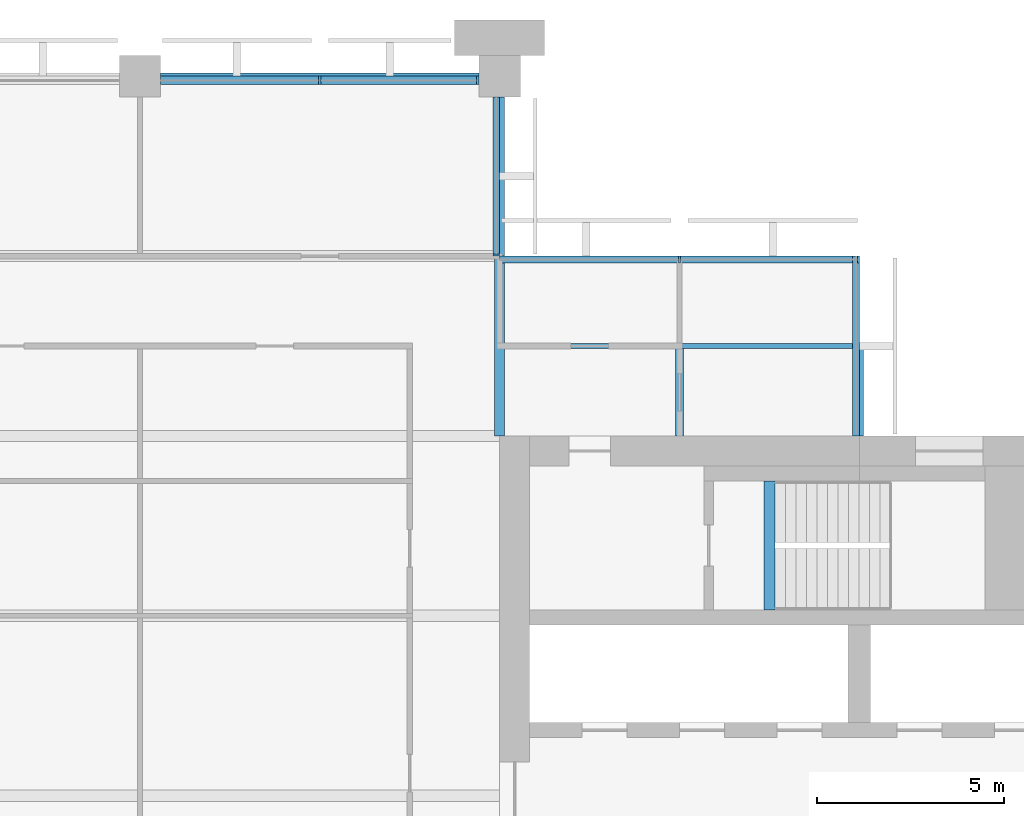
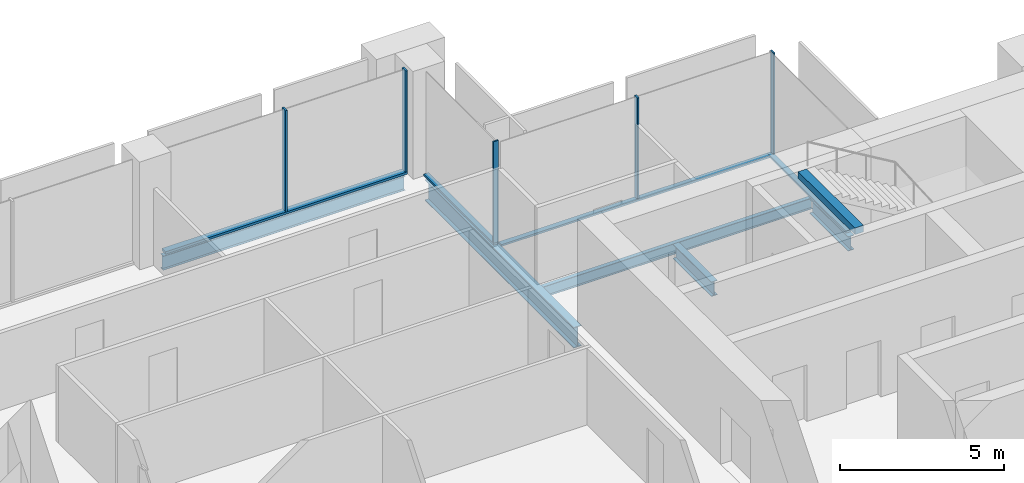
# One storey, part 6 of 13: 9 members, 6 beams, 4 elements without a shape of their own.
"""IFC4 building model written with IfcOpenShell, lengths in metres."""

from ifc_helpers import new_model, si_unit, direction, frame, origin, origin_2d, place, context, subcontext, project, spatial, rectangle, i_section, extrude, material, material_profile, profile_set, type_object, element, aggregate, save


model = new_model("IFC4")

# Units and contexts
model_context = context("Model", 3, precision=1e-05, world=origin(), true_north=direction((0.0, 1.0)))
body_context = subcontext(model_context, "Body", "Model", "MODEL_VIEW")
ifc_project = project(units=[si_unit("LENGTHUNIT", "METRE"), si_unit("AREAUNIT", "SQUARE_METRE"), si_unit("VOLUMEUNIT", "CUBIC_METRE"), si_unit("PLANEANGLEUNIT", "RADIAN"), si_unit("MASSUNIT", "GRAM", prefix="KILO")], contexts=[model_context])

# Site, building, storey
site_placement = place(None, origin())
site = spatial("IfcSite", under=ifc_project, at=site_placement, CompositionType="ELEMENT")
building_placement = place(site_placement, origin())
building = spatial("IfcBuilding", under=site, at=building_placement, Name="Baori Bourse Tower", CompositionType="ELEMENT")
storey_placement = place(building_placement, frame((0.0, 0.0, 229.199951171875)))
storey = spatial("IfcBuildingStorey", under=building, at=storey_placement, Name="L50", CompositionType="ELEMENT", Elevation=229.199951171875)

# Curtain wall, members
ifc_material_1 = material(Name="Pale anodised aluminium", Category="aluminium")
curtain_wall_type_1 = type_object("IfcCurtainWallType", Name="CW2 Curtain wall", PredefinedType="NOTDEFINED", material=ifc_material_1)
curtain_wall_1_placement = place(storey_placement, origin())
curtain_wall_1 = element("IfcCurtainWall", 1, at=curtain_wall_1_placement, inside=storey, type_object=curtain_wall_type_1, Name="Curtain wall CW2 L50 2", PredefinedType="NOTDEFINED")
ifc_material_2 = material(Name="Pale anodised aluminium", Category="aluminium")
ifc_material_profile_1 = material_profile(ifc_material_2, rectangle(XDim=0.179931640625, YDim=0.054931640625, at=origin_2d()), Name="Mullion 55x180")
ifc_profile_set_1 = profile_set([ifc_material_profile_1], Name="Pale anodised aluminium")
member_type_1 = type_object("IfcMemberType", Name="CW2 Curtain wall mullion", PredefinedType="MULLION", material=ifc_profile_set_1)
member_1_placement = place(storey_placement, frame((47.972412109375, 43.110107421875, 0.070068359375), z_axis=(0.0, 0.0, 1.0), x_axis=(0.0, -1.0, 0.0)))
member_1 = element("IfcMember", 2, at=member_1_placement, type_object=member_type_1, Name="Curtain wall CW2 mullion", PredefinedType="MULLION", context=body_context, shape_type="SweptSolid", body=[
    extrude(rectangle(XDim=0.179931640625, YDim=0.054931640625, at=origin_2d()), origin(), (0.0, 0.0, 1.0), 3.77001953125),
])
member_2_placement = place(storey_placement, frame((43.199951171875, 43.110107421875, 0.070068359375), z_axis=(0.0, 0.0, 1.0), x_axis=(0.0, -1.0, 0.0)))
member_2 = element("IfcMember", 3, at=member_2_placement, type_object=member_type_1, Name="Curtain wall CW2 mullion", PredefinedType="MULLION", context=body_context, shape_type="SweptSolid", body=[
    extrude(rectangle(XDim=0.179931640625, YDim=0.054931640625, at=origin_2d()), origin(), (0.0, 0.0, 1.0), 3.77001953125),
])

# Curtain wall, member
curtain_wall_2_placement = place(storey_placement, origin())
curtain_wall_2 = element("IfcCurtainWall", 4, at=curtain_wall_2_placement, inside=storey, type_object=curtain_wall_type_1, Name="Curtain wall CW2 L50 3", PredefinedType="NOTDEFINED")
member_3_placement = place(storey_placement, frame((38.31005859375, 43.2275390625, 0.070068359375), z_axis=(0.0, 0.0, 1.0), x_axis=(-1.0, 0.0, 0.0)))
member_3 = element("IfcMember", 5, at=member_3_placement, type_object=member_type_1, Name="Curtain wall CW2 mullion", PredefinedType="MULLION", context=body_context, shape_type="SweptSolid", body=[
    extrude(rectangle(XDim=0.179931640625, YDim=0.054931640625, at=origin_2d()), origin(), (0.0, 0.0, 1.0), 3.77001953125),
])

curtain_wall_3_placement = place(storey_placement, origin())
curtain_wall_3 = element("IfcCurtainWall", 6, at=curtain_wall_3_placement, inside=storey, type_object=curtain_wall_type_1, Name="Curtain wall CW2 L50 1", PredefinedType="NOTDEFINED")
ifc_material_3 = material(Name="Pale anodised aluminium", Category="aluminium")
ifc_material_profile_2 = material_profile(ifc_material_3, rectangle(XDim=0.179931640625, YDim=0.070068359375, at=origin_2d()), Name="Transom 70x180")
ifc_profile_set_2 = profile_set([ifc_material_profile_2], Name="Pale anodised aluminium")
member_type_2 = type_object("IfcMemberType", Name="CW2 Curtain wall transom", PredefinedType="USERDEFINED", material=ifc_profile_set_2)
member_4_placement = place(storey_placement, frame((47.909912109375, 38.39990234375, 0.03515625), z_axis=(0.0, 1.0, 0.0), x_axis=(-1.0, 0.0, 0.0)))
member_4 = element("IfcMember", 7, at=member_4_placement, type_object=member_type_2, Name="Curtain wall CW2 sill rail", ObjectType="TRANSOM", PredefinedType="USERDEFINED", context=body_context, shape_type="SweptSolid", body=[
    extrude(rectangle(XDim=0.179931640625, YDim=0.070068359375, at=origin_2d()), origin(), (0.0, 0.0, 1.0), 4.800048828125),
])
aggregate(curtain_wall_3, [member_4])

# Member
member_5_placement = place(storey_placement, frame((48.0, 43.110107421875, 0.03515625), z_axis=(-1.0, 0.0, 0.0), x_axis=(0.0, -1.0, 0.0)))
member_5 = element("IfcMember", 8, at=member_5_placement, type_object=member_type_2, Name="Curtain wall CW2 sill rail", ObjectType="TRANSOM", PredefinedType="USERDEFINED", context=body_context, shape_type="SweptSolid", body=[
    extrude(rectangle(XDim=0.179931640625, YDim=0.070068359375, at=origin_2d()), origin(), (0.0, 0.0, 1.0), 9.60009765625),
])

aggregate(curtain_wall_1, [member_5, member_1, member_2])

member_6_placement = place(storey_placement, frame((38.31005859375, 43.199951171875, 0.03515625), z_axis=(0.0, 1.0, 0.0), x_axis=(-1.0, 0.0, 0.0)))
member_6 = element("IfcMember", 9, at=member_6_placement, type_object=member_type_2, Name="Curtain wall CW2 sill rail", ObjectType="TRANSOM", PredefinedType="USERDEFINED", context=body_context, shape_type="SweptSolid", body=[
    extrude(rectangle(XDim=0.179931640625, YDim=0.070068359375, at=origin_2d()), origin(), (0.0, 0.0, 1.0), 4.25),
])

aggregate(curtain_wall_2, [member_6, member_3])

# Curtain wall, members
ifc_material_4 = material(Name="Pale anodised aluminium", Category="aluminium")
curtain_wall_type_2 = type_object("IfcCurtainWallType", Name="CW5 Curtain wall", PredefinedType="NOTDEFINED", material=ifc_material_4)
curtain_wall_4_placement = place(storey_placement, origin())
curtain_wall_4 = element("IfcCurtainWall", 10, at=curtain_wall_4_placement, inside=storey, type_object=curtain_wall_type_2, Name="Curtain wall CW5 L50 4", PredefinedType="NOTDEFINED")
ifc_material_5 = material(Name="Pale anodised aluminium", Category="aluminium")
ifc_material_profile_3 = material_profile(ifc_material_5, rectangle(XDim=0.219970703125, YDim=0.06494140625, at=origin_2d()), Name="Mullion 65x220")
ifc_profile_set_3 = profile_set([ifc_material_profile_3], Name="Pale anodised aluminium")
member_type_3 = type_object("IfcMemberType", Name="CW5 Curtain wall mullion", PredefinedType="MULLION", material=ifc_profile_set_3)
member_7_placement = place(storey_placement, frame((37.8173828125, 47.889892578125, 0.0849609375), z_axis=(0.0, 0.0, 1.0), x_axis=(0.0, -1.0, 0.0)))
member_7 = element("IfcMember", 11, at=member_7_placement, type_object=member_type_3, Name="Curtain wall CW5 mullion", PredefinedType="MULLION", context=body_context, shape_type="SweptSolid", body=[
    extrude(rectangle(XDim=0.219970703125, YDim=0.06494140625, at=origin_2d()), origin(), (0.0, 0.0, 1.0), 3.755126953125),
])
member_8_placement = place(storey_placement, frame((33.60009765625, 47.889892578125, 0.0849609375), z_axis=(0.0, 0.0, 1.0), x_axis=(0.0, -1.0, 0.0)))
member_8 = element("IfcMember", 12, at=member_8_placement, type_object=member_type_3, Name="Curtain wall CW5 mullion", PredefinedType="MULLION", context=body_context, shape_type="SweptSolid", body=[
    extrude(rectangle(XDim=0.219970703125, YDim=0.06494140625, at=origin_2d()), origin(), (0.0, 0.0, 1.0), 3.755126953125),
])
ifc_material_6 = material(Name="Pale anodised aluminium", Category="aluminium")
ifc_material_profile_4 = material_profile(ifc_material_6, rectangle(XDim=0.219970703125, YDim=0.0849609375, at=origin_2d()), Name="Transom 85x220")
ifc_profile_set_4 = profile_set([ifc_material_profile_4], Name="Pale anodised aluminium")
member_type_4 = type_object("IfcMemberType", Name="CW5 Curtain wall transom", PredefinedType="USERDEFINED", material=ifc_profile_set_4)
member_9_placement = place(storey_placement, frame((37.85009765625, 47.889892578125, 0.04248046875), z_axis=(-1.0, 0.0, 0.0), x_axis=(0.0, -1.0, 0.0)))
member_9 = element("IfcMember", 13, at=member_9_placement, type_object=member_type_4, Name="Curtain wall CW5 sill rail", ObjectType="TRANSOM", PredefinedType="USERDEFINED", context=body_context, shape_type="SweptSolid", body=[
    extrude(rectangle(XDim=0.219970703125, YDim=0.0849609375, at=origin_2d()), origin(), (0.0, 0.0, 1.0), 8.5),
])
aggregate(curtain_wall_4, [member_9, member_7, member_8])

# Beams
ifc_material_7 = material(Name="Steel A992 Gr 50", Category="steel")
ifc_material_profile_5 = material_profile(ifc_material_7, i_section(OverallWidth=0.21240234375, OverallDepth=0.54345703125, WebThickness=0.01318359375, FlangeThickness=0.021240234375, at=origin_2d()), Name="W21x83")
ifc_profile_set_5 = profile_set([ifc_material_profile_5], Name="Steel A992 Gr 50")
beam_type_1 = type_object("IfcBeamType", Name="Core bracket W21x83", PredefinedType="BEAM", material=ifc_profile_set_5)
for number, where, z_axis, x_axis, name in (
    (14, (43.199951171875, 38.39990234375, -0.431640625), (0.0, 1.0, 0.0), (-1.0, 0.0, 0.0), "Core bracket L50"),
    (15, (48.0, 38.39990234375, -0.431640625), (0.0, 1.0, 0.0), (-1.0, 0.0, 0.0), "Core bracket L50"),
):
    element("IfcBeam", number, at=place(storey_placement, frame(where, z_axis=z_axis, x_axis=x_axis)), inside=storey, type_object=beam_type_1, Name=name, PredefinedType="BEAM", context=body_context, shape_type="SweptSolid", body=[
        extrude(i_section(OverallWidth=0.21240234375, OverallDepth=0.54345703125, WebThickness=0.01318359375, FlangeThickness=0.021240234375, at=origin_2d()), origin(), (0.0, 0.0, 1.0), 2.329833984375),
    ])
ifc_material_8 = material(Name="Steel A992 Gr 50", Category="steel")
ifc_material_profile_6 = material_profile(ifc_material_8, i_section(OverallWidth=0.1650390625, OverallDepth=0.52587890625, WebThickness=0.0087890625, FlangeThickness=0.011474609375, at=origin_2d()), Name="W21x44")
ifc_profile_set_6 = profile_set([ifc_material_profile_6], Name="Steel A992 Gr 50")
beam_type_2 = type_object("IfcBeamType", Name="Edge beam W21x44", PredefinedType="BEAM", material=ifc_profile_set_6)
beam_1_placement = place(storey_placement, frame((29.35009765625, 48.0, -0.4228515625), z_axis=(1.0, 0.0, 0.0), x_axis=(0.0, 1.0, 0.0)))
element("IfcBeam", 16, at=beam_1_placement, inside=storey, type_object=beam_type_2, Name="Edge beam L50", PredefinedType="BEAM", context=body_context, shape_type="SweptSolid", body=[
    extrude(i_section(OverallWidth=0.1650390625, OverallDepth=0.52587890625, WebThickness=0.0087890625, FlangeThickness=0.011474609375, at=origin_2d()), origin(), (0.0, 0.0, 1.0), 8.5),
])
ifc_material_9 = material(Name="Steel A992 Gr 50", Category="steel")
ifc_material_profile_7 = material_profile(ifc_material_9, i_section(OverallWidth=0.2666015625, OverallDepth=0.76953125, WebThickness=0.015625, FlangeThickness=0.025390625, at=origin_2d()), Name="W30x132")
ifc_profile_set_7 = profile_set([ifc_material_profile_7], Name="Steel A992 Gr 50")
beam_type_3 = type_object("IfcBeamType", Name="Girder W30x132", PredefinedType="BEAM", material=ifc_profile_set_7)
beam_2_placement = place(storey_placement, frame((38.39990234375, 38.39990234375, -0.544677734375), z_axis=(0.0, 1.0, 0.0), x_axis=(-1.0, 0.0, 0.0)))
element("IfcBeam", 17, at=beam_2_placement, inside=storey, type_object=beam_type_3, Name="Girder L50", PredefinedType="BEAM", context=body_context, shape_type="SweptSolid", body=[
    extrude(i_section(OverallWidth=0.2666015625, OverallDepth=0.76953125, WebThickness=0.015625, FlangeThickness=0.025390625, at=origin_2d()), origin(), (0.0, 0.0, 1.0), 9.050048828125),
])
ifc_material_10 = material(Name="Concrete f'c 50 MPa", Category="concrete")
ifc_material_profile_8 = material_profile(ifc_material_10, rectangle(XDim=0.300048828125, YDim=0.25, at=origin_2d()), Name="RC 300x250")
ifc_profile_set_8 = profile_set([ifc_material_profile_8], Name="Concrete f'c 50 MPa")
beam_type_4 = type_object("IfcBeamType", Name="Stair nib beam RC 300x250", PredefinedType="BEAM", material=ifc_profile_set_8)
beam_3_placement = place(storey_placement, frame((45.60009765625, 33.75, 3.715087890625), z_axis=(0.0, 1.0, 0.0), x_axis=(-1.0, 0.0, 0.0)))
element("IfcBeam", 18, at=beam_3_placement, inside=storey, type_object=beam_type_4, Name="Stair EB nib beam L51", PredefinedType="BEAM", context=body_context, shape_type="SweptSolid", body=[
    extrude(rectangle(XDim=0.300048828125, YDim=0.25, at=origin_2d()), origin(), (0.0, 0.0, 1.0), 3.449951171875),
])
ifc_material_11 = material(Name="Steel A992 Gr 50", Category="steel")
ifc_material_profile_9 = material_profile(ifc_material_11, i_section(OverallWidth=0.140380859375, OverallDepth=0.40380859375, WebThickness=0.007080078125, FlangeThickness=0.01123046875, at=origin_2d()), Name="W16x31")
ifc_profile_set_9 = profile_set([ifc_material_profile_9], Name="Steel A992 Gr 50")
beam_type_5 = type_object("IfcBeamType", Name="Trimmer beam W16x31", PredefinedType="BEAM", material=ifc_profile_set_9)
beam_4_placement = place(storey_placement, frame((38.533447265625, 40.800048828125, -0.36181640625), z_axis=(1.0, 0.0, 0.0), x_axis=(0.0, 1.0, 0.0)))
element("IfcBeam", 19, at=beam_4_placement, inside=storey, type_object=beam_type_5, Name="Trimmer beam L50", PredefinedType="BEAM", context=body_context, shape_type="SweptSolid", body=[
    extrude(i_section(OverallWidth=0.140380859375, OverallDepth=0.40380859375, WebThickness=0.007080078125, FlangeThickness=0.01123046875, at=origin_2d()), origin(), (0.0, 0.0, 1.0), 9.466552734375),
])

save(model, "model.ifc")
